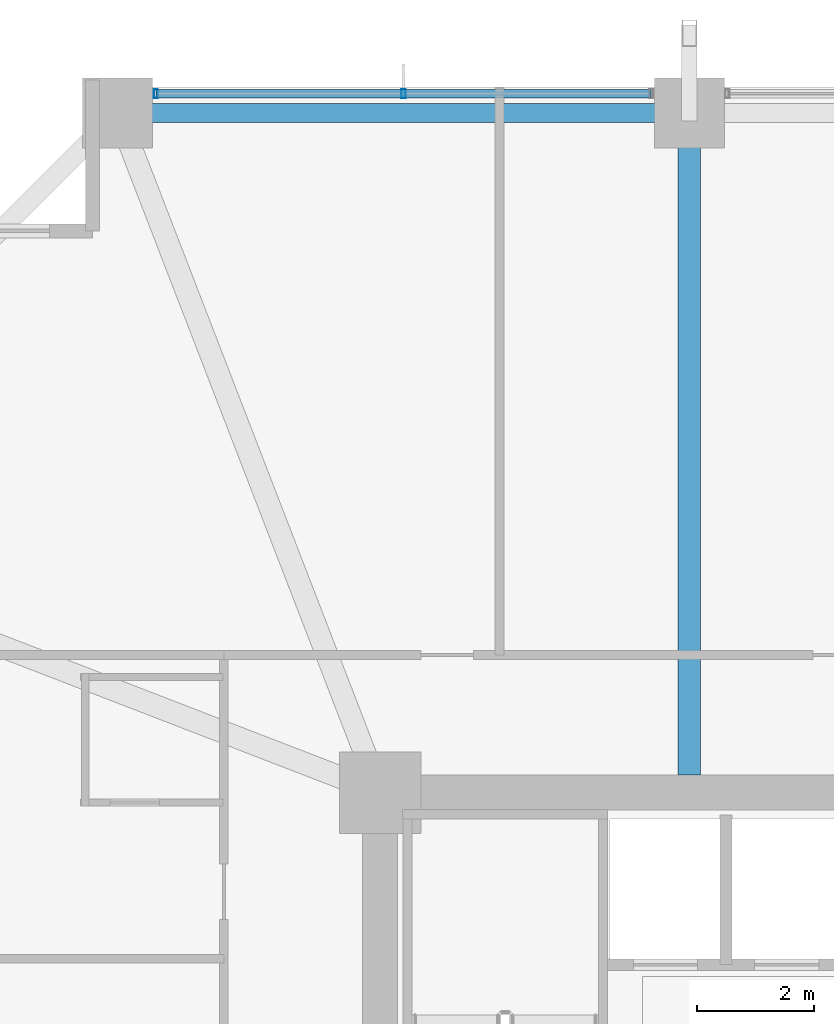
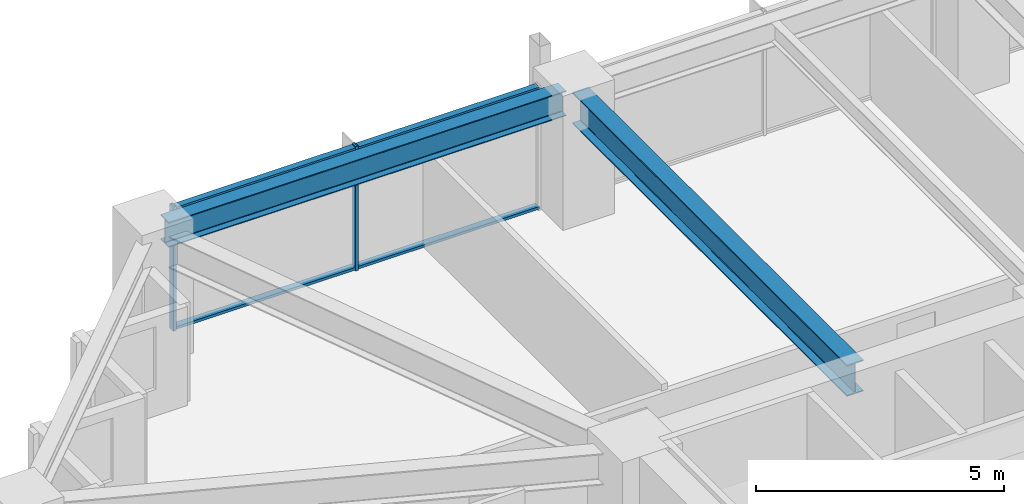
# One storey, part 19 of 36: 4 members, 2 beams, 1 element without a shape of its own.
"""IFC4 building model written with IfcOpenShell, lengths in metres."""

from ifc_helpers import new_model, si_unit, direction, frame, origin, origin_2d, place, context, subcontext, project, spatial, hollow_rectangle, i_section, extrude, material, material_profile, profile_set, type_object, element, aggregate, save


model = new_model("IFC4")

# Units and contexts
model_context = context("Model", 3, precision=1e-05, world=origin(), true_north=direction((0.0, 1.0)))
body_context = subcontext(model_context, "Body", "Model", "MODEL_VIEW")
ifc_project = project(units=[si_unit("LENGTHUNIT", "METRE"), si_unit("AREAUNIT", "SQUARE_METRE"), si_unit("VOLUMEUNIT", "CUBIC_METRE"), si_unit("PLANEANGLEUNIT", "RADIAN"), si_unit("MASSUNIT", "GRAM", prefix="KILO")], contexts=[model_context])

# Site, building, storey
site_placement = place(None, origin())
site = spatial("IfcSite", under=ifc_project, at=site_placement, CompositionType="ELEMENT")
building_placement = place(site_placement, origin())
building = spatial("IfcBuilding", under=site, at=building_placement, Name="Kolvaren Belvedere", CompositionType="ELEMENT")
storey_placement = place(building_placement, frame((0.0, 0.0, 46.89990234375)))
storey = spatial("IfcBuildingStorey", under=building, at=storey_placement, Name="L13", CompositionType="ELEMENT", Elevation=46.89990234375)

# Beams
ifc_material_1 = material(Name="Structural steel ASTM A992 Grade 50", Category="steel")
ifc_material_profile_1 = material_profile(ifc_material_1, i_section(OverallWidth=0.381103515625, OverallDepth=0.77294921875, WebThickness=0.0166015625, FlangeThickness=0.027099609375, FilletRadius=0.02392578125, at=origin_2d()), Name="W30X173")
ifc_profile_set_1 = profile_set([ifc_material_profile_1], Name="Structural steel ASTM A992 Grade 50")
beam_type_1 = type_object("IfcBeamType", Name="BM-GIRD-W30X173", PredefinedType="BEAM", material=ifc_profile_set_1)
beam_1_placement = place(storey_placement, frame((-4.60009765625, 10.199951171875, 2.673583984375), z_axis=(0.0, 1.0, 0.0), x_axis=(-1.0, 0.0, 0.0)))
element("IfcBeam", 1, at=beam_1_placement, inside=storey, type_object=beam_type_1, Name="L13 North Radial Girder M", PredefinedType="BEAM", context=body_context, shape_type="SweptSolid", body=[
    extrude(i_section(OverallWidth=0.381103515625, OverallDepth=0.77294921875, WebThickness=0.0166015625, FlangeThickness=0.027099609375, FilletRadius=0.02392578125, at=origin_2d()), origin(), (0.0, 0.0, 1.0), 11.080078125),
])
ifc_material_2 = material(Name="Structural steel ASTM A992 Grade 50", Category="steel")
ifc_material_profile_2 = material_profile(ifc_material_2, i_section(OverallWidth=0.324951171875, OverallDepth=0.615966796875, WebThickness=0.013916015625, FlangeThickness=0.021484375, FilletRadius=0.02001953125, at=origin_2d()), Name="W24X117")
ifc_profile_set_2 = profile_set([ifc_material_profile_2], Name="Structural steel ASTM A992 Grade 50")
beam_type_2 = type_object("IfcBeamType", Name="BM-SPAN-W24X117", PredefinedType="SPANDREL", material=ifc_profile_set_2)
beam_2_placement = place(storey_placement, frame((-4.8701171875, 21.550048828125, 2.752197265625), z_axis=(-1.0, 0.0, 0.0), x_axis=(0.0, -1.0, 0.0)))
element("IfcBeam", 2, at=beam_2_placement, inside=storey, type_object=beam_type_2, Name="L13 Perimeter Spandrel N2-N1", PredefinedType="SPANDREL", context=body_context, shape_type="SweptSolid", body=[
    extrude(i_section(OverallWidth=0.324951171875, OverallDepth=0.615966796875, WebThickness=0.013916015625, FlangeThickness=0.021484375, FilletRadius=0.02001953125, at=origin_2d()), origin(), (0.0, 0.0, 1.0), 9.259765625),
])

# Curtain wall, members
ifc_material_3 = material(Name="Anodised pale-metal aluminium AA 6063-T6", Category="aluminium")
curtain_wall_type = type_object("IfcCurtainWallType", Name="CW-Z1-LOW", PredefinedType="NOTDEFINED", material=ifc_material_3)
curtain_wall_placement = place(storey_placement, origin())
curtain_wall = element("IfcCurtainWall", 3, at=curtain_wall_placement, inside=storey, type_object=curtain_wall_type, Name="L13 Unitised Curtain Wall FCW-L13-N-B1", PredefinedType="NOTDEFINED")
ifc_material_4 = material(Name="Anodised pale-metal aluminium AA 6063-T6", Category="aluminium")
ifc_material_profile_3 = material_profile(ifc_material_4, hollow_rectangle(XDim=0.070068359375, YDim=0.14990234375, WallThickness=0.004150390625, at=origin_2d()), Name="ALU-MUL-150X70")
ifc_profile_set_3 = profile_set([ifc_material_profile_3], Name="Anodised pale-metal aluminium AA 6063-T6")
member_type_1 = type_object("IfcMemberType", Name="CW-MUL-150", PredefinedType="MULLION", material=ifc_profile_set_3)
member_1_placement = place(storey_placement, frame((-13.7451171875, 21.8798828125, 0.0), z_axis=(0.0, 0.0, 1.0), x_axis=(1.0, 0.0, 0.0)))
member_1 = element("IfcMember", 4, at=member_1_placement, type_object=member_type_1, Name="FCW-L13-N-B1 Unitised Mullion 1", PredefinedType="MULLION", context=body_context, shape_type="SweptSolid", body=[
    extrude(hollow_rectangle(XDim=0.070068359375, YDim=0.14990234375, WallThickness=0.004150390625, at=origin_2d()), origin(), (0.0, 0.0, 1.0), 3.06005859375),
])
member_2_placement = place(storey_placement, frame((-9.5, 21.8798828125, 0.0), z_axis=(0.0, 0.0, 1.0), x_axis=(1.0, 0.0, 0.0)))
member_2 = element("IfcMember", 5, at=member_2_placement, type_object=member_type_1, Name="FCW-L13-N-B1 Unitised Mullion 2", PredefinedType="MULLION", context=body_context, shape_type="SweptSolid", body=[
    extrude(hollow_rectangle(XDim=0.070068359375, YDim=0.14990234375, WallThickness=0.004150390625, at=origin_2d()), origin(), (0.0, 0.0, 1.0), 3.06005859375),
])
ifc_material_5 = material(Name="Anodised pale-metal aluminium AA 6063-T6", Category="aluminium")
ifc_material_profile_4 = material_profile(ifc_material_5, hollow_rectangle(XDim=0.06494140625, YDim=0.14990234375, WallThickness=0.00390625, at=origin_2d()), Name="ALU-TRN-150X65")
ifc_profile_set_4 = profile_set([ifc_material_profile_4], Name="Anodised pale-metal aluminium AA 6063-T6")
member_type_2 = type_object("IfcMemberType", Name="CW-TRN-150", PredefinedType="USERDEFINED", material=ifc_profile_set_4)
member_3_placement = place(storey_placement, frame((-13.7451171875, 21.8798828125, 0.06005859375), z_axis=(1.0, 0.0, 0.0), x_axis=(0.0, 0.0, 1.0)))
member_3 = element("IfcMember", 6, at=member_3_placement, type_object=member_type_2, Name="FCW-L13-N-B1 Sill Transom", ObjectType="TRANSOM", PredefinedType="USERDEFINED", context=body_context, shape_type="SweptSolid", body=[
    extrude(hollow_rectangle(XDim=0.06494140625, YDim=0.14990234375, WallThickness=0.00390625, at=origin_2d()), origin(), (0.0, 0.0, 1.0), 8.490234375),
])
member_4_placement = place(storey_placement, frame((-13.7451171875, 21.8798828125, 3.0), z_axis=(1.0, 0.0, 0.0), x_axis=(0.0, 0.0, 1.0)))
member_4 = element("IfcMember", 7, at=member_4_placement, type_object=member_type_2, Name="FCW-L13-N-B1 Head Transom", ObjectType="TRANSOM", PredefinedType="USERDEFINED", context=body_context, shape_type="SweptSolid", body=[
    extrude(hollow_rectangle(XDim=0.06494140625, YDim=0.14990234375, WallThickness=0.00390625, at=origin_2d()), origin(), (0.0, 0.0, 1.0), 8.490234375),
])
aggregate(curtain_wall, [member_1, member_2, member_3, member_4])

save(model, "model.ifc")
